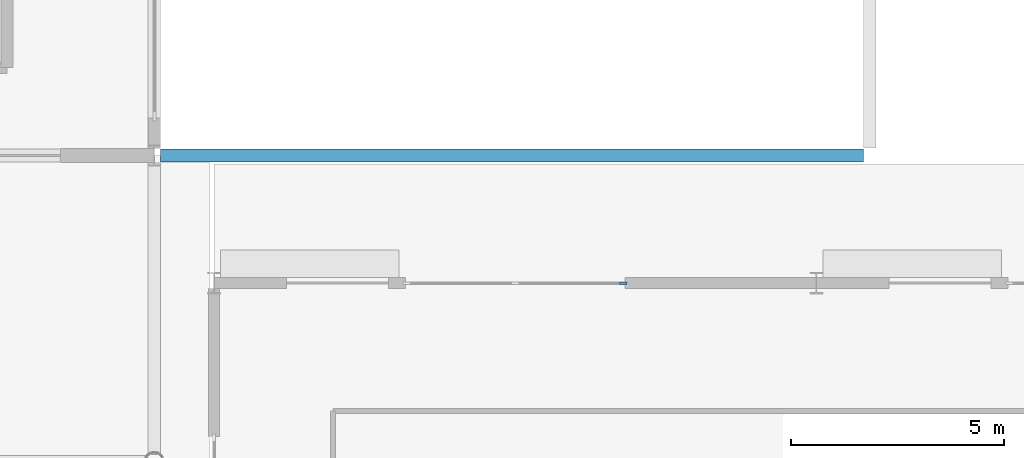
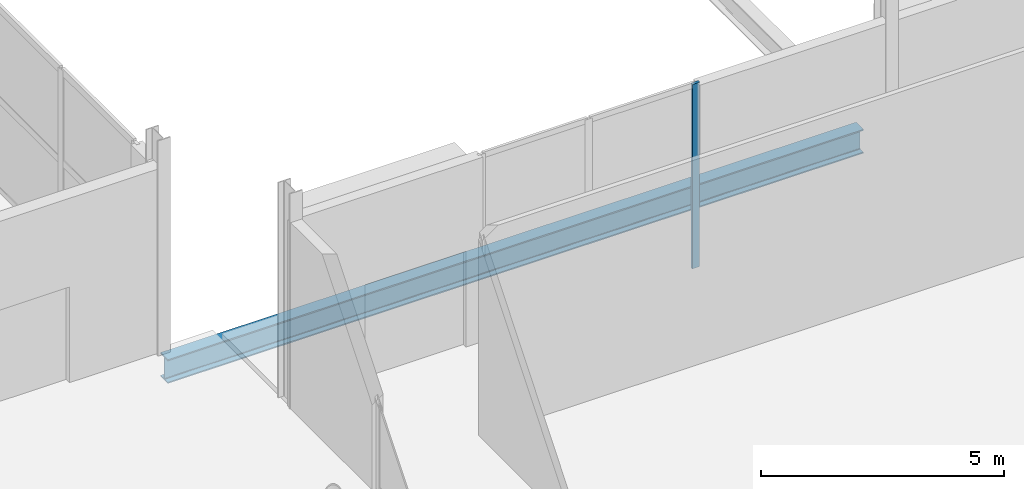
# One storey, part 41 of 87: 1 beam, 1 member, 1 element without a shape of its own.
"""IFC4 building model written with IfcOpenShell, lengths in metres."""

from ifc_helpers import new_model, si_unit, direction, frame, origin, origin_2d, place, context, subcontext, project, spatial, rectangle, i_section, extrude, material, material_profile, profile_set, type_object, element, aggregate, save


model = new_model("IFC4")

# Units and contexts
model_context = context("Model", 3, precision=1e-05, world=origin(), true_north=direction((0.0, 1.0)))
body_context = subcontext(model_context, "Body", "Model", "MODEL_VIEW")
ifc_project = project(units=[si_unit("LENGTHUNIT", "METRE"), si_unit("AREAUNIT", "SQUARE_METRE"), si_unit("VOLUMEUNIT", "CUBIC_METRE"), si_unit("PLANEANGLEUNIT", "RADIAN"), si_unit("MASSUNIT", "GRAM", prefix="KILO")], contexts=[model_context])

# Site, building, storey
site_placement = place(None, origin())
site = spatial("IfcSite", under=ifc_project, at=site_placement, CompositionType="ELEMENT")
building_placement = place(site_placement, origin())
building = spatial("IfcBuilding", under=site, at=building_placement, Name="Kimbaza Rail Terminus", CompositionType="ELEMENT")
storey_placement = place(building_placement, origin())
storey = spatial("IfcBuildingStorey", under=building, at=storey_placement, Name="L00", CompositionType="ELEMENT", Elevation=0.0)

# Curtain wall, member
ifc_material_1 = material(Name="Anodised aluminium framing and solar low-E glazing", Category="aluminium")
curtain_wall_type = type_object("IfcCurtainWallType", Name="ARC-CW-PV1", PredefinedType="USERDEFINED", material=ifc_material_1)
curtain_wall_placement = place(storey_placement, origin())
curtain_wall = element("IfcCurtainWall", 1, at=curtain_wall_placement, inside=storey, type_object=curtain_wall_type, Name="Pavilion N Curtain Wall L00.1", ObjectType="STICK CURTAIN WALL", PredefinedType="USERDEFINED")
ifc_material_2 = material(Name="Anodised architectural aluminium", Category="aluminium")
ifc_material_profile_1 = material_profile(ifc_material_2, rectangle(XDim=0.06494140625, YDim=0.175048828125, at=origin_2d()), Name="MULLION 65x175")
ifc_profile_set_1 = profile_set([ifc_material_profile_1], Name="Anodised architectural aluminium")
member_type = type_object("IfcMemberType", Name="ARC-CWM-04", PredefinedType="MULLION", material=ifc_profile_set_1)
member_placement = place(storey_placement, frame((167.017578125, 38.0, 0.0), z_axis=(0.0, 0.0, 1.0), x_axis=(0.0, 1.0, 0.0)))
member = element("IfcMember", 2, at=member_placement, type_object=member_type, Name="CW-04 mullion 3", PredefinedType="MULLION", context=body_context, shape_type="SweptSolid", body=[
    extrude(rectangle(XDim=0.06494140625, YDim=0.175048828125, at=origin_2d()), origin(), (0.0, 0.0, 1.0), 4.625),
])
aggregate(curtain_wall, [member])

# Beam
ifc_material_3 = material(Name="Steel S355", Category="steel")
ifc_material_profile_2 = material_profile(ifc_material_3, i_section(OverallWidth=0.300048828125, OverallDepth=0.60009765625, WebThickness=0.015380859375, FlangeThickness=0.030029296875, FilletRadius=0.027099609375, at=origin_2d()), Name="HEB 600")
ifc_profile_set_2 = profile_set([ifc_material_profile_2], Name="Steel S355")
beam_type = type_object("IfcBeamType", Name="STR-BM-HEB600", PredefinedType="BEAM", material=ifc_profile_set_2)
beam_placement = place(storey_placement, frame((156.14599609375, 41.0, -0.550048828125), z_axis=(1.0, 0.0, 0.0), x_axis=(0.0, 1.0, 0.0)))
element("IfcBeam", 3, at=beam_placement, inside=storey, type_object=beam_type, Name="Beam BM-V2X-L00-2-6", PredefinedType="BEAM", context=body_context, shape_type="SweptSolid", body=[
    extrude(i_section(OverallWidth=0.300048828125, OverallDepth=0.60009765625, WebThickness=0.015380859375, FlangeThickness=0.030029296875, FilletRadius=0.027099609375, at=origin_2d()), origin(), (0.0, 0.0, 1.0), 16.508056640625),
])

save(model, "model.ifc")
